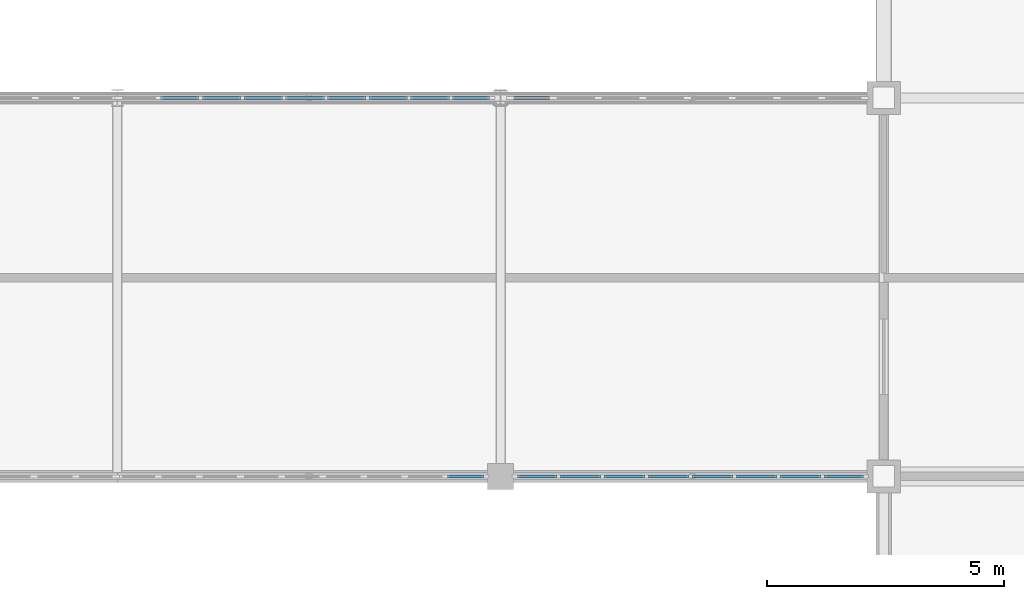
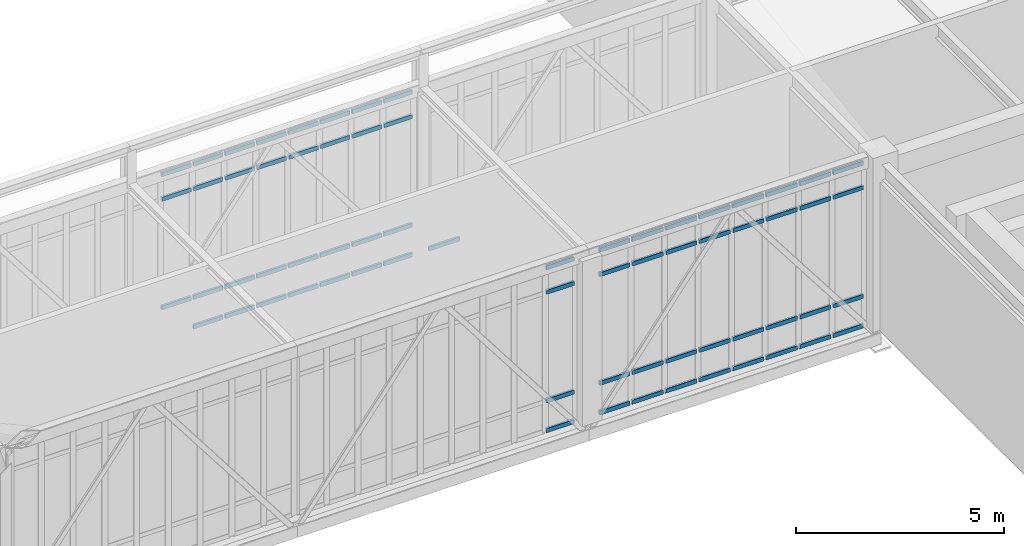
# One storey, part 60 of 107: 68 members, 4 elements without a shape of their own.
"""IFC4 building model written with IfcOpenShell, lengths in metres."""

from ifc_helpers import new_model, si_unit, direction, frame, origin, origin_2d, place, context, subcontext, project, spatial, rectangle, extrude, material, material_profile, profile_set, type_object, element, aggregate, save


model = new_model("IFC4")

# Units and contexts
model_context = context("Model", 3, precision=1e-05, world=origin(), true_north=direction((0.0, 1.0)))
body_context = subcontext(model_context, "Body", "Model", "MODEL_VIEW")
ifc_project = project(units=[si_unit("LENGTHUNIT", "METRE"), si_unit("AREAUNIT", "SQUARE_METRE"), si_unit("VOLUMEUNIT", "CUBIC_METRE"), si_unit("PLANEANGLEUNIT", "RADIAN"), si_unit("MASSUNIT", "GRAM", prefix="KILO")], contexts=[model_context])

# Site, building, storey
site_placement = place(None, origin())
site = spatial("IfcSite", under=ifc_project, at=site_placement, CompositionType="ELEMENT")
building_placement = place(site_placement, origin())
building = spatial("IfcBuilding", under=site, at=building_placement, Name="Tarnveldt Square Police Headquarters", CompositionType="ELEMENT")
storey_placement = place(building_placement, frame((0.0, 0.0, 14.699951171875)))
storey = spatial("IfcBuildingStorey", under=building, at=storey_placement, Name="L03", CompositionType="ELEMENT", Elevation=14.699951171875)

# Curtain wall, members
ifc_material_1 = material(Name="Triple-glazed low-e laminated vision glass", Category="glass")
curtain_wall_type_1 = type_object("IfcCurtainWallType", Name="CW-SB-781x484", PredefinedType="USERDEFINED", material=ifc_material_1)
curtain_wall_1_placement = place(storey_placement, origin())
curtain_wall_1 = element("IfcCurtainWall", 1, at=curtain_wall_1_placement, inside=storey, type_object=curtain_wall_type_1, Name="L03 Curtain Wall CW-L03-157", ObjectType="GLAZED CURTAIN WALL", PredefinedType="USERDEFINED")
ifc_material_2 = material(Name="Thermally broken anodised aluminium 6063-T6", Category="aluminium")
ifc_material_profile = material_profile(ifc_material_2, rectangle(XDim=0.06494140625, YDim=0.1201171875, at=origin_2d()), Name="CW-T65x120")
ifc_profile_set = profile_set([ifc_material_profile], Name="Thermally broken anodised aluminium 6063-T6")
member_type = type_object("IfcMemberType", Name="CWT-65x120", PredefinedType="USERDEFINED", material=ifc_profile_set)
member_1_placement = place(storey_placement, frame((96.07470703125, 72.0, 0.032470703125), z_axis=(1.0, 0.0, 0.0), x_axis=(0.0, 1.0, 0.0)))
member_1 = element("IfcMember", 2, at=member_1_placement, type_object=member_type, Name="CW-SB92 transom 9.1", ObjectType="TRANSOM", PredefinedType="USERDEFINED", context=body_context, shape_type="SweptSolid", body=[
    extrude(rectangle(XDim=0.06494140625, YDim=0.1201171875, at=origin_2d()), origin(), (0.0, 0.0, 1.0), 0.770263671875),
])
member_2_placement = place(storey_placement, frame((96.07470703125, 72.0, 0.900146484375), z_axis=(1.0, 0.0, 0.0), x_axis=(0.0, 1.0, 0.0)))
member_2 = element("IfcMember", 3, at=member_2_placement, type_object=member_type, Name="CW-SB92 transom 9.2", ObjectType="TRANSOM", PredefinedType="USERDEFINED", context=body_context, shape_type="SweptSolid", body=[
    extrude(rectangle(XDim=0.06494140625, YDim=0.1201171875, at=origin_2d()), origin(), (0.0, 0.0, 1.0), 0.770263671875),
])
member_3_placement = place(storey_placement, frame((96.07470703125, 72.0, 4.090087890625), z_axis=(1.0, 0.0, 0.0), x_axis=(0.0, 1.0, 0.0)))
member_3 = element("IfcMember", 4, at=member_3_placement, type_object=member_type, Name="CW-SB92 transom 9.3", ObjectType="TRANSOM", PredefinedType="USERDEFINED", context=body_context, shape_type="SweptSolid", body=[
    extrude(rectangle(XDim=0.06494140625, YDim=0.1201171875, at=origin_2d()), origin(), (0.0, 0.0, 1.0), 0.770263671875),
])
member_4_placement = place(storey_placement, frame((96.07470703125, 72.0, 4.8076171875), z_axis=(1.0, 0.0, 0.0), x_axis=(0.0, 1.0, 0.0)))
member_4 = element("IfcMember", 5, at=member_4_placement, type_object=member_type, Name="CW-SB92 transom 9.4", ObjectType="TRANSOM", PredefinedType="USERDEFINED", context=body_context, shape_type="SweptSolid", body=[
    extrude(rectangle(XDim=0.06494140625, YDim=0.1201171875, at=origin_2d()), origin(), (0.0, 0.0, 1.0), 0.770263671875),
])
aggregate(curtain_wall_1, [member_1, member_2, member_3, member_4])

curtain_wall_type_2 = type_object("IfcCurtainWallType", Name="CW-SB-745x484", PredefinedType="USERDEFINED", material=ifc_material_1)
curtain_wall_2_placement = place(storey_placement, origin())
curtain_wall_2 = element("IfcCurtainWall", 6, at=curtain_wall_2_placement, inside=storey, type_object=curtain_wall_type_2, Name="L03 Curtain Wall CW-L03-158", ObjectType="GLAZED CURTAIN WALL", PredefinedType="USERDEFINED")
member_5_placement = place(storey_placement, frame((97.554931640625, 72.0, 0.032470703125), z_axis=(1.0, 0.0, 0.0), x_axis=(0.0, 1.0, 0.0)))
member_5 = element("IfcMember", 7, at=member_5_placement, type_object=member_type, Name="CW-SB93 transom 1.1", ObjectType="TRANSOM", PredefinedType="USERDEFINED", context=body_context, shape_type="SweptSolid", body=[
    extrude(rectangle(XDim=0.06494140625, YDim=0.1201171875, at=origin_2d()), origin(), (0.0, 0.0, 1.0), 0.833251953125),
])
member_6_placement = place(storey_placement, frame((97.554931640625, 72.0, 0.900146484375), z_axis=(1.0, 0.0, 0.0), x_axis=(0.0, 1.0, 0.0)))
member_6 = element("IfcMember", 8, at=member_6_placement, type_object=member_type, Name="CW-SB93 transom 1.2", ObjectType="TRANSOM", PredefinedType="USERDEFINED", context=body_context, shape_type="SweptSolid", body=[
    extrude(rectangle(XDim=0.06494140625, YDim=0.1201171875, at=origin_2d()), origin(), (0.0, 0.0, 1.0), 0.833251953125),
])
member_7_placement = place(storey_placement, frame((97.554931640625, 72.0, 4.090087890625), z_axis=(1.0, 0.0, 0.0), x_axis=(0.0, 1.0, 0.0)))
member_7 = element("IfcMember", 9, at=member_7_placement, type_object=member_type, Name="CW-SB93 transom 1.3", ObjectType="TRANSOM", PredefinedType="USERDEFINED", context=body_context, shape_type="SweptSolid", body=[
    extrude(rectangle(XDim=0.06494140625, YDim=0.1201171875, at=origin_2d()), origin(), (0.0, 0.0, 1.0), 0.833251953125),
])
member_8_placement = place(storey_placement, frame((97.554931640625, 72.0, 4.8076171875), z_axis=(1.0, 0.0, 0.0), x_axis=(0.0, 1.0, 0.0)))
member_8 = element("IfcMember", 10, at=member_8_placement, type_object=member_type, Name="CW-SB93 transom 1.4", ObjectType="TRANSOM", PredefinedType="USERDEFINED", context=body_context, shape_type="SweptSolid", body=[
    extrude(rectangle(XDim=0.06494140625, YDim=0.1201171875, at=origin_2d()), origin(), (0.0, 0.0, 1.0), 0.833251953125),
])
member_9_placement = place(storey_placement, frame((98.453125, 72.0, 0.032470703125), z_axis=(1.0, 0.0, 0.0), x_axis=(0.0, 1.0, 0.0)))
member_9 = element("IfcMember", 11, at=member_9_placement, type_object=member_type, Name="CW-SB93 transom 2.1", ObjectType="TRANSOM", PredefinedType="USERDEFINED", context=body_context, shape_type="SweptSolid", body=[
    extrude(rectangle(XDim=0.06494140625, YDim=0.1201171875, at=origin_2d()), origin(), (0.0, 0.0, 1.0), 0.86572265625),
])
member_10_placement = place(storey_placement, frame((98.453125, 72.0, 0.900146484375), z_axis=(1.0, 0.0, 0.0), x_axis=(0.0, 1.0, 0.0)))
member_10 = element("IfcMember", 12, at=member_10_placement, type_object=member_type, Name="CW-SB93 transom 2.2", ObjectType="TRANSOM", PredefinedType="USERDEFINED", context=body_context, shape_type="SweptSolid", body=[
    extrude(rectangle(XDim=0.06494140625, YDim=0.1201171875, at=origin_2d()), origin(), (0.0, 0.0, 1.0), 0.86572265625),
])
member_11_placement = place(storey_placement, frame((98.453125, 72.0, 4.090087890625), z_axis=(1.0, 0.0, 0.0), x_axis=(0.0, 1.0, 0.0)))
member_11 = element("IfcMember", 13, at=member_11_placement, type_object=member_type, Name="CW-SB93 transom 2.3", ObjectType="TRANSOM", PredefinedType="USERDEFINED", context=body_context, shape_type="SweptSolid", body=[
    extrude(rectangle(XDim=0.06494140625, YDim=0.1201171875, at=origin_2d()), origin(), (0.0, 0.0, 1.0), 0.86572265625),
])
member_12_placement = place(storey_placement, frame((98.453125, 72.0, 4.8076171875), z_axis=(1.0, 0.0, 0.0), x_axis=(0.0, 1.0, 0.0)))
member_12 = element("IfcMember", 14, at=member_12_placement, type_object=member_type, Name="CW-SB93 transom 2.4", ObjectType="TRANSOM", PredefinedType="USERDEFINED", context=body_context, shape_type="SweptSolid", body=[
    extrude(rectangle(XDim=0.06494140625, YDim=0.1201171875, at=origin_2d()), origin(), (0.0, 0.0, 1.0), 0.86572265625),
])
member_13_placement = place(storey_placement, frame((99.3837890625, 72.0, 0.032470703125), z_axis=(1.0, 0.0, 0.0), x_axis=(0.0, 1.0, 0.0)))
member_13 = element("IfcMember", 15, at=member_13_placement, type_object=member_type, Name="CW-SB93 transom 3.1", ObjectType="TRANSOM", PredefinedType="USERDEFINED", context=body_context, shape_type="SweptSolid", body=[
    extrude(rectangle(XDim=0.06494140625, YDim=0.1201171875, at=origin_2d()), origin(), (0.0, 0.0, 1.0), 0.865478515625),
])
member_14_placement = place(storey_placement, frame((99.3837890625, 72.0, 0.900146484375), z_axis=(1.0, 0.0, 0.0), x_axis=(0.0, 1.0, 0.0)))
member_14 = element("IfcMember", 16, at=member_14_placement, type_object=member_type, Name="CW-SB93 transom 3.2", ObjectType="TRANSOM", PredefinedType="USERDEFINED", context=body_context, shape_type="SweptSolid", body=[
    extrude(rectangle(XDim=0.06494140625, YDim=0.1201171875, at=origin_2d()), origin(), (0.0, 0.0, 1.0), 0.865478515625),
])
member_15_placement = place(storey_placement, frame((99.3837890625, 72.0, 4.090087890625), z_axis=(1.0, 0.0, 0.0), x_axis=(0.0, 1.0, 0.0)))
member_15 = element("IfcMember", 17, at=member_15_placement, type_object=member_type, Name="CW-SB93 transom 3.3", ObjectType="TRANSOM", PredefinedType="USERDEFINED", context=body_context, shape_type="SweptSolid", body=[
    extrude(rectangle(XDim=0.06494140625, YDim=0.1201171875, at=origin_2d()), origin(), (0.0, 0.0, 1.0), 0.865478515625),
])
member_16_placement = place(storey_placement, frame((99.3837890625, 72.0, 4.8076171875), z_axis=(1.0, 0.0, 0.0), x_axis=(0.0, 1.0, 0.0)))
member_16 = element("IfcMember", 18, at=member_16_placement, type_object=member_type, Name="CW-SB93 transom 3.4", ObjectType="TRANSOM", PredefinedType="USERDEFINED", context=body_context, shape_type="SweptSolid", body=[
    extrude(rectangle(XDim=0.06494140625, YDim=0.1201171875, at=origin_2d()), origin(), (0.0, 0.0, 1.0), 0.865478515625),
])
member_17_placement = place(storey_placement, frame((100.314453125, 72.0, 0.032470703125), z_axis=(1.0, 0.0, 0.0), x_axis=(0.0, 1.0, 0.0)))
member_17 = element("IfcMember", 19, at=member_17_placement, type_object=member_type, Name="CW-SB93 transom 4.1", ObjectType="TRANSOM", PredefinedType="USERDEFINED", context=body_context, shape_type="SweptSolid", body=[
    extrude(rectangle(XDim=0.06494140625, YDim=0.1201171875, at=origin_2d()), origin(), (0.0, 0.0, 1.0), 0.865478515625),
])
member_18_placement = place(storey_placement, frame((100.314453125, 72.0, 0.900146484375), z_axis=(1.0, 0.0, 0.0), x_axis=(0.0, 1.0, 0.0)))
member_18 = element("IfcMember", 20, at=member_18_placement, type_object=member_type, Name="CW-SB93 transom 4.2", ObjectType="TRANSOM", PredefinedType="USERDEFINED", context=body_context, shape_type="SweptSolid", body=[
    extrude(rectangle(XDim=0.06494140625, YDim=0.1201171875, at=origin_2d()), origin(), (0.0, 0.0, 1.0), 0.865478515625),
])
member_19_placement = place(storey_placement, frame((100.314453125, 72.0, 4.090087890625), z_axis=(1.0, 0.0, 0.0), x_axis=(0.0, 1.0, 0.0)))
member_19 = element("IfcMember", 21, at=member_19_placement, type_object=member_type, Name="CW-SB93 transom 4.3", ObjectType="TRANSOM", PredefinedType="USERDEFINED", context=body_context, shape_type="SweptSolid", body=[
    extrude(rectangle(XDim=0.06494140625, YDim=0.1201171875, at=origin_2d()), origin(), (0.0, 0.0, 1.0), 0.865478515625),
])
member_20_placement = place(storey_placement, frame((100.314453125, 72.0, 4.8076171875), z_axis=(1.0, 0.0, 0.0), x_axis=(0.0, 1.0, 0.0)))
member_20 = element("IfcMember", 22, at=member_20_placement, type_object=member_type, Name="CW-SB93 transom 4.4", ObjectType="TRANSOM", PredefinedType="USERDEFINED", context=body_context, shape_type="SweptSolid", body=[
    extrude(rectangle(XDim=0.06494140625, YDim=0.1201171875, at=origin_2d()), origin(), (0.0, 0.0, 1.0), 0.865478515625),
])
member_21_placement = place(storey_placement, frame((101.2451171875, 72.0, 0.032470703125), z_axis=(1.0, 0.0, 0.0), x_axis=(0.0, 1.0, 0.0)))
member_21 = element("IfcMember", 23, at=member_21_placement, type_object=member_type, Name="CW-SB93 transom 5.1", ObjectType="TRANSOM", PredefinedType="USERDEFINED", context=body_context, shape_type="SweptSolid", body=[
    extrude(rectangle(XDim=0.06494140625, YDim=0.1201171875, at=origin_2d()), origin(), (0.0, 0.0, 1.0), 0.865478515625),
])
member_22_placement = place(storey_placement, frame((101.2451171875, 72.0, 0.900146484375), z_axis=(1.0, 0.0, 0.0), x_axis=(0.0, 1.0, 0.0)))
member_22 = element("IfcMember", 24, at=member_22_placement, type_object=member_type, Name="CW-SB93 transom 5.2", ObjectType="TRANSOM", PredefinedType="USERDEFINED", context=body_context, shape_type="SweptSolid", body=[
    extrude(rectangle(XDim=0.06494140625, YDim=0.1201171875, at=origin_2d()), origin(), (0.0, 0.0, 1.0), 0.865478515625),
])
member_23_placement = place(storey_placement, frame((101.2451171875, 72.0, 4.090087890625), z_axis=(1.0, 0.0, 0.0), x_axis=(0.0, 1.0, 0.0)))
member_23 = element("IfcMember", 25, at=member_23_placement, type_object=member_type, Name="CW-SB93 transom 5.3", ObjectType="TRANSOM", PredefinedType="USERDEFINED", context=body_context, shape_type="SweptSolid", body=[
    extrude(rectangle(XDim=0.06494140625, YDim=0.1201171875, at=origin_2d()), origin(), (0.0, 0.0, 1.0), 0.865478515625),
])
member_24_placement = place(storey_placement, frame((101.2451171875, 72.0, 4.8076171875), z_axis=(1.0, 0.0, 0.0), x_axis=(0.0, 1.0, 0.0)))
member_24 = element("IfcMember", 26, at=member_24_placement, type_object=member_type, Name="CW-SB93 transom 5.4", ObjectType="TRANSOM", PredefinedType="USERDEFINED", context=body_context, shape_type="SweptSolid", body=[
    extrude(rectangle(XDim=0.06494140625, YDim=0.1201171875, at=origin_2d()), origin(), (0.0, 0.0, 1.0), 0.865478515625),
])
member_25_placement = place(storey_placement, frame((102.175537109375, 72.0, 0.032470703125), z_axis=(1.0, 0.0, 0.0), x_axis=(0.0, 1.0, 0.0)))
member_25 = element("IfcMember", 27, at=member_25_placement, type_object=member_type, Name="CW-SB93 transom 6.1", ObjectType="TRANSOM", PredefinedType="USERDEFINED", context=body_context, shape_type="SweptSolid", body=[
    extrude(rectangle(XDim=0.06494140625, YDim=0.1201171875, at=origin_2d()), origin(), (0.0, 0.0, 1.0), 0.86572265625),
])
member_26_placement = place(storey_placement, frame((102.175537109375, 72.0, 0.900146484375), z_axis=(1.0, 0.0, 0.0), x_axis=(0.0, 1.0, 0.0)))
member_26 = element("IfcMember", 28, at=member_26_placement, type_object=member_type, Name="CW-SB93 transom 6.2", ObjectType="TRANSOM", PredefinedType="USERDEFINED", context=body_context, shape_type="SweptSolid", body=[
    extrude(rectangle(XDim=0.06494140625, YDim=0.1201171875, at=origin_2d()), origin(), (0.0, 0.0, 1.0), 0.86572265625),
])
member_27_placement = place(storey_placement, frame((102.175537109375, 72.0, 4.090087890625), z_axis=(1.0, 0.0, 0.0), x_axis=(0.0, 1.0, 0.0)))
member_27 = element("IfcMember", 29, at=member_27_placement, type_object=member_type, Name="CW-SB93 transom 6.3", ObjectType="TRANSOM", PredefinedType="USERDEFINED", context=body_context, shape_type="SweptSolid", body=[
    extrude(rectangle(XDim=0.06494140625, YDim=0.1201171875, at=origin_2d()), origin(), (0.0, 0.0, 1.0), 0.86572265625),
])
member_28_placement = place(storey_placement, frame((102.175537109375, 72.0, 4.8076171875), z_axis=(1.0, 0.0, 0.0), x_axis=(0.0, 1.0, 0.0)))
member_28 = element("IfcMember", 30, at=member_28_placement, type_object=member_type, Name="CW-SB93 transom 6.4", ObjectType="TRANSOM", PredefinedType="USERDEFINED", context=body_context, shape_type="SweptSolid", body=[
    extrude(rectangle(XDim=0.06494140625, YDim=0.1201171875, at=origin_2d()), origin(), (0.0, 0.0, 1.0), 0.86572265625),
])
member_29_placement = place(storey_placement, frame((103.106201171875, 72.0, 0.032470703125), z_axis=(1.0, 0.0, 0.0), x_axis=(0.0, 1.0, 0.0)))
member_29 = element("IfcMember", 31, at=member_29_placement, type_object=member_type, Name="CW-SB93 transom 7.1", ObjectType="TRANSOM", PredefinedType="USERDEFINED", context=body_context, shape_type="SweptSolid", body=[
    extrude(rectangle(XDim=0.06494140625, YDim=0.1201171875, at=origin_2d()), origin(), (0.0, 0.0, 1.0), 0.86572265625),
])
member_30_placement = place(storey_placement, frame((103.106201171875, 72.0, 0.900146484375), z_axis=(1.0, 0.0, 0.0), x_axis=(0.0, 1.0, 0.0)))
member_30 = element("IfcMember", 32, at=member_30_placement, type_object=member_type, Name="CW-SB93 transom 7.2", ObjectType="TRANSOM", PredefinedType="USERDEFINED", context=body_context, shape_type="SweptSolid", body=[
    extrude(rectangle(XDim=0.06494140625, YDim=0.1201171875, at=origin_2d()), origin(), (0.0, 0.0, 1.0), 0.86572265625),
])
member_31_placement = place(storey_placement, frame((103.106201171875, 72.0, 4.090087890625), z_axis=(1.0, 0.0, 0.0), x_axis=(0.0, 1.0, 0.0)))
member_31 = element("IfcMember", 33, at=member_31_placement, type_object=member_type, Name="CW-SB93 transom 7.3", ObjectType="TRANSOM", PredefinedType="USERDEFINED", context=body_context, shape_type="SweptSolid", body=[
    extrude(rectangle(XDim=0.06494140625, YDim=0.1201171875, at=origin_2d()), origin(), (0.0, 0.0, 1.0), 0.86572265625),
])
member_32_placement = place(storey_placement, frame((103.106201171875, 72.0, 4.8076171875), z_axis=(1.0, 0.0, 0.0), x_axis=(0.0, 1.0, 0.0)))
member_32 = element("IfcMember", 34, at=member_32_placement, type_object=member_type, Name="CW-SB93 transom 7.4", ObjectType="TRANSOM", PredefinedType="USERDEFINED", context=body_context, shape_type="SweptSolid", body=[
    extrude(rectangle(XDim=0.06494140625, YDim=0.1201171875, at=origin_2d()), origin(), (0.0, 0.0, 1.0), 0.86572265625),
])
member_33_placement = place(storey_placement, frame((104.036865234375, 72.0, 0.032470703125), z_axis=(1.0, 0.0, 0.0), x_axis=(0.0, 1.0, 0.0)))
member_33 = element("IfcMember", 35, at=member_33_placement, type_object=member_type, Name="CW-SB93 transom 8.1", ObjectType="TRANSOM", PredefinedType="USERDEFINED", context=body_context, shape_type="SweptSolid", body=[
    extrude(rectangle(XDim=0.06494140625, YDim=0.1201171875, at=origin_2d()), origin(), (0.0, 0.0, 1.0), 0.833251953125),
])
member_34_placement = place(storey_placement, frame((104.036865234375, 72.0, 0.900146484375), z_axis=(1.0, 0.0, 0.0), x_axis=(0.0, 1.0, 0.0)))
member_34 = element("IfcMember", 36, at=member_34_placement, type_object=member_type, Name="CW-SB93 transom 8.2", ObjectType="TRANSOM", PredefinedType="USERDEFINED", context=body_context, shape_type="SweptSolid", body=[
    extrude(rectangle(XDim=0.06494140625, YDim=0.1201171875, at=origin_2d()), origin(), (0.0, 0.0, 1.0), 0.833251953125),
])
member_35_placement = place(storey_placement, frame((104.036865234375, 72.0, 4.090087890625), z_axis=(1.0, 0.0, 0.0), x_axis=(0.0, 1.0, 0.0)))
member_35 = element("IfcMember", 37, at=member_35_placement, type_object=member_type, Name="CW-SB93 transom 8.3", ObjectType="TRANSOM", PredefinedType="USERDEFINED", context=body_context, shape_type="SweptSolid", body=[
    extrude(rectangle(XDim=0.06494140625, YDim=0.1201171875, at=origin_2d()), origin(), (0.0, 0.0, 1.0), 0.833251953125),
])
member_36_placement = place(storey_placement, frame((104.036865234375, 72.0, 4.8076171875), z_axis=(1.0, 0.0, 0.0), x_axis=(0.0, 1.0, 0.0)))
member_36 = element("IfcMember", 38, at=member_36_placement, type_object=member_type, Name="CW-SB93 transom 8.4", ObjectType="TRANSOM", PredefinedType="USERDEFINED", context=body_context, shape_type="SweptSolid", body=[
    extrude(rectangle(XDim=0.06494140625, YDim=0.1201171875, at=origin_2d()), origin(), (0.0, 0.0, 1.0), 0.833251953125),
])
aggregate(curtain_wall_2, [member_5, member_6, member_7, member_8, member_9, member_10, member_11, member_12, member_13, member_14, member_15, member_16, member_17, member_18, member_19, member_20, member_21, member_22, member_23, member_24, member_25, member_26, member_27, member_28, member_29, member_30, member_31, member_32, member_33, member_34, member_35, member_36])

curtain_wall_type_3 = type_object("IfcCurtainWallType", Name="CW-SB-793x484", PredefinedType="USERDEFINED", material=ifc_material_1)
curtain_wall_3_placement = place(storey_placement, origin())
curtain_wall_3 = element("IfcCurtainWall", 39, at=curtain_wall_3_placement, inside=storey, type_object=curtain_wall_type_3, Name="L03 Curtain Wall CW-L03-164", ObjectType="GLAZED CURTAIN WALL", PredefinedType="USERDEFINED")
member_37_placement = place(storey_placement, frame((90.013671875, 80.0, 0.900146484375), z_axis=(1.0, 0.0, 0.0), x_axis=(0.0, 1.0, 0.0)))
member_37 = element("IfcMember", 40, at=member_37_placement, type_object=member_type, Name="CW-SB91 transom 2.2", ObjectType="TRANSOM", PredefinedType="USERDEFINED", context=body_context, shape_type="SweptSolid", body=[
    extrude(rectangle(XDim=0.06494140625, YDim=0.1201171875, at=origin_2d()), origin(), (0.0, 0.0, 1.0), 0.816162109375),
])
member_38_placement = place(storey_placement, frame((90.013671875, 80.0, 4.090087890625), z_axis=(1.0, 0.0, 0.0), x_axis=(0.0, 1.0, 0.0)))
member_38 = element("IfcMember", 41, at=member_38_placement, type_object=member_type, Name="CW-SB91 transom 2.3", ObjectType="TRANSOM", PredefinedType="USERDEFINED", context=body_context, shape_type="SweptSolid", body=[
    extrude(rectangle(XDim=0.06494140625, YDim=0.1201171875, at=origin_2d()), origin(), (0.0, 0.0, 1.0), 0.816162109375),
])
member_39_placement = place(storey_placement, frame((90.013671875, 80.0, 4.8076171875), z_axis=(1.0, 0.0, 0.0), x_axis=(0.0, 1.0, 0.0)))
member_39 = element("IfcMember", 42, at=member_39_placement, type_object=member_type, Name="CW-SB91 transom 2.4", ObjectType="TRANSOM", PredefinedType="USERDEFINED", context=body_context, shape_type="SweptSolid", body=[
    extrude(rectangle(XDim=0.06494140625, YDim=0.1201171875, at=origin_2d()), origin(), (0.0, 0.0, 1.0), 0.816162109375),
])
member_40_placement = place(storey_placement, frame((90.89501953125, 80.0, 0.032470703125), z_axis=(1.0, 0.0, 0.0), x_axis=(0.0, 1.0, 0.0)))
member_40 = element("IfcMember", 43, at=member_40_placement, type_object=member_type, Name="CW-SB91 transom 3.1", ObjectType="TRANSOM", PredefinedType="USERDEFINED", context=body_context, shape_type="SweptSolid", body=[
    extrude(rectangle(XDim=0.06494140625, YDim=0.1201171875, at=origin_2d()), origin(), (0.0, 0.0, 1.0), 0.816162109375),
])
member_41_placement = place(storey_placement, frame((90.89501953125, 80.0, 0.900146484375), z_axis=(1.0, 0.0, 0.0), x_axis=(0.0, 1.0, 0.0)))
member_41 = element("IfcMember", 44, at=member_41_placement, type_object=member_type, Name="CW-SB91 transom 3.2", ObjectType="TRANSOM", PredefinedType="USERDEFINED", context=body_context, shape_type="SweptSolid", body=[
    extrude(rectangle(XDim=0.06494140625, YDim=0.1201171875, at=origin_2d()), origin(), (0.0, 0.0, 1.0), 0.816162109375),
])
member_42_placement = place(storey_placement, frame((90.89501953125, 80.0, 4.090087890625), z_axis=(1.0, 0.0, 0.0), x_axis=(0.0, 1.0, 0.0)))
member_42 = element("IfcMember", 45, at=member_42_placement, type_object=member_type, Name="CW-SB91 transom 3.3", ObjectType="TRANSOM", PredefinedType="USERDEFINED", context=body_context, shape_type="SweptSolid", body=[
    extrude(rectangle(XDim=0.06494140625, YDim=0.1201171875, at=origin_2d()), origin(), (0.0, 0.0, 1.0), 0.816162109375),
])
member_43_placement = place(storey_placement, frame((90.89501953125, 80.0, 4.8076171875), z_axis=(1.0, 0.0, 0.0), x_axis=(0.0, 1.0, 0.0)))
member_43 = element("IfcMember", 46, at=member_43_placement, type_object=member_type, Name="CW-SB91 transom 3.4", ObjectType="TRANSOM", PredefinedType="USERDEFINED", context=body_context, shape_type="SweptSolid", body=[
    extrude(rectangle(XDim=0.06494140625, YDim=0.1201171875, at=origin_2d()), origin(), (0.0, 0.0, 1.0), 0.816162109375),
])
member_44_placement = place(storey_placement, frame((91.776123046875, 80.0, 0.032470703125), z_axis=(1.0, 0.0, 0.0), x_axis=(0.0, 1.0, 0.0)))
member_44 = element("IfcMember", 47, at=member_44_placement, type_object=member_type, Name="CW-SB91 transom 4.1", ObjectType="TRANSOM", PredefinedType="USERDEFINED", context=body_context, shape_type="SweptSolid", body=[
    extrude(rectangle(XDim=0.06494140625, YDim=0.1201171875, at=origin_2d()), origin(), (0.0, 0.0, 1.0), 0.816162109375),
])
member_45_placement = place(storey_placement, frame((91.776123046875, 80.0, 0.900146484375), z_axis=(1.0, 0.0, 0.0), x_axis=(0.0, 1.0, 0.0)))
member_45 = element("IfcMember", 48, at=member_45_placement, type_object=member_type, Name="CW-SB91 transom 4.2", ObjectType="TRANSOM", PredefinedType="USERDEFINED", context=body_context, shape_type="SweptSolid", body=[
    extrude(rectangle(XDim=0.06494140625, YDim=0.1201171875, at=origin_2d()), origin(), (0.0, 0.0, 1.0), 0.816162109375),
])
member_46_placement = place(storey_placement, frame((91.776123046875, 80.0, 4.090087890625), z_axis=(1.0, 0.0, 0.0), x_axis=(0.0, 1.0, 0.0)))
member_46 = element("IfcMember", 49, at=member_46_placement, type_object=member_type, Name="CW-SB91 transom 4.3", ObjectType="TRANSOM", PredefinedType="USERDEFINED", context=body_context, shape_type="SweptSolid", body=[
    extrude(rectangle(XDim=0.06494140625, YDim=0.1201171875, at=origin_2d()), origin(), (0.0, 0.0, 1.0), 0.816162109375),
])
member_47_placement = place(storey_placement, frame((91.776123046875, 80.0, 4.8076171875), z_axis=(1.0, 0.0, 0.0), x_axis=(0.0, 1.0, 0.0)))
member_47 = element("IfcMember", 50, at=member_47_placement, type_object=member_type, Name="CW-SB91 transom 4.4", ObjectType="TRANSOM", PredefinedType="USERDEFINED", context=body_context, shape_type="SweptSolid", body=[
    extrude(rectangle(XDim=0.06494140625, YDim=0.1201171875, at=origin_2d()), origin(), (0.0, 0.0, 1.0), 0.816162109375),
])
member_48_placement = place(storey_placement, frame((92.657470703125, 80.0, 0.032470703125), z_axis=(1.0, 0.0, 0.0), x_axis=(0.0, 1.0, 0.0)))
member_48 = element("IfcMember", 51, at=member_48_placement, type_object=member_type, Name="CW-SB91 transom 5.1", ObjectType="TRANSOM", PredefinedType="USERDEFINED", context=body_context, shape_type="SweptSolid", body=[
    extrude(rectangle(XDim=0.06494140625, YDim=0.1201171875, at=origin_2d()), origin(), (0.0, 0.0, 1.0), 0.816162109375),
])
member_49_placement = place(storey_placement, frame((92.657470703125, 80.0, 0.900146484375), z_axis=(1.0, 0.0, 0.0), x_axis=(0.0, 1.0, 0.0)))
member_49 = element("IfcMember", 52, at=member_49_placement, type_object=member_type, Name="CW-SB91 transom 5.2", ObjectType="TRANSOM", PredefinedType="USERDEFINED", context=body_context, shape_type="SweptSolid", body=[
    extrude(rectangle(XDim=0.06494140625, YDim=0.1201171875, at=origin_2d()), origin(), (0.0, 0.0, 1.0), 0.816162109375),
])
member_50_placement = place(storey_placement, frame((92.657470703125, 80.0, 4.090087890625), z_axis=(1.0, 0.0, 0.0), x_axis=(0.0, 1.0, 0.0)))
member_50 = element("IfcMember", 53, at=member_50_placement, type_object=member_type, Name="CW-SB91 transom 5.3", ObjectType="TRANSOM", PredefinedType="USERDEFINED", context=body_context, shape_type="SweptSolid", body=[
    extrude(rectangle(XDim=0.06494140625, YDim=0.1201171875, at=origin_2d()), origin(), (0.0, 0.0, 1.0), 0.816162109375),
])
member_51_placement = place(storey_placement, frame((92.657470703125, 80.0, 4.8076171875), z_axis=(1.0, 0.0, 0.0), x_axis=(0.0, 1.0, 0.0)))
member_51 = element("IfcMember", 54, at=member_51_placement, type_object=member_type, Name="CW-SB91 transom 5.4", ObjectType="TRANSOM", PredefinedType="USERDEFINED", context=body_context, shape_type="SweptSolid", body=[
    extrude(rectangle(XDim=0.06494140625, YDim=0.1201171875, at=origin_2d()), origin(), (0.0, 0.0, 1.0), 0.816162109375),
])
member_52_placement = place(storey_placement, frame((93.53857421875, 80.0, 0.032470703125), z_axis=(1.0, 0.0, 0.0), x_axis=(0.0, 1.0, 0.0)))
member_52 = element("IfcMember", 55, at=member_52_placement, type_object=member_type, Name="CW-SB91 transom 6.1", ObjectType="TRANSOM", PredefinedType="USERDEFINED", context=body_context, shape_type="SweptSolid", body=[
    extrude(rectangle(XDim=0.06494140625, YDim=0.1201171875, at=origin_2d()), origin(), (0.0, 0.0, 1.0), 0.816162109375),
])
member_53_placement = place(storey_placement, frame((93.53857421875, 80.0, 0.900146484375), z_axis=(1.0, 0.0, 0.0), x_axis=(0.0, 1.0, 0.0)))
member_53 = element("IfcMember", 56, at=member_53_placement, type_object=member_type, Name="CW-SB91 transom 6.2", ObjectType="TRANSOM", PredefinedType="USERDEFINED", context=body_context, shape_type="SweptSolid", body=[
    extrude(rectangle(XDim=0.06494140625, YDim=0.1201171875, at=origin_2d()), origin(), (0.0, 0.0, 1.0), 0.816162109375),
])
member_54_placement = place(storey_placement, frame((93.53857421875, 80.0, 4.090087890625), z_axis=(1.0, 0.0, 0.0), x_axis=(0.0, 1.0, 0.0)))
member_54 = element("IfcMember", 57, at=member_54_placement, type_object=member_type, Name="CW-SB91 transom 6.3", ObjectType="TRANSOM", PredefinedType="USERDEFINED", context=body_context, shape_type="SweptSolid", body=[
    extrude(rectangle(XDim=0.06494140625, YDim=0.1201171875, at=origin_2d()), origin(), (0.0, 0.0, 1.0), 0.816162109375),
])
member_55_placement = place(storey_placement, frame((93.53857421875, 80.0, 4.8076171875), z_axis=(1.0, 0.0, 0.0), x_axis=(0.0, 1.0, 0.0)))
member_55 = element("IfcMember", 58, at=member_55_placement, type_object=member_type, Name="CW-SB91 transom 6.4", ObjectType="TRANSOM", PredefinedType="USERDEFINED", context=body_context, shape_type="SweptSolid", body=[
    extrude(rectangle(XDim=0.06494140625, YDim=0.1201171875, at=origin_2d()), origin(), (0.0, 0.0, 1.0), 0.816162109375),
])
member_56_placement = place(storey_placement, frame((94.419921875, 80.0, 0.032470703125), z_axis=(1.0, 0.0, 0.0), x_axis=(0.0, 1.0, 0.0)))
member_56 = element("IfcMember", 59, at=member_56_placement, type_object=member_type, Name="CW-SB91 transom 7.1", ObjectType="TRANSOM", PredefinedType="USERDEFINED", context=body_context, shape_type="SweptSolid", body=[
    extrude(rectangle(XDim=0.06494140625, YDim=0.1201171875, at=origin_2d()), origin(), (0.0, 0.0, 1.0), 0.816162109375),
])
member_57_placement = place(storey_placement, frame((94.419921875, 80.0, 0.900146484375), z_axis=(1.0, 0.0, 0.0), x_axis=(0.0, 1.0, 0.0)))
member_57 = element("IfcMember", 60, at=member_57_placement, type_object=member_type, Name="CW-SB91 transom 7.2", ObjectType="TRANSOM", PredefinedType="USERDEFINED", context=body_context, shape_type="SweptSolid", body=[
    extrude(rectangle(XDim=0.06494140625, YDim=0.1201171875, at=origin_2d()), origin(), (0.0, 0.0, 1.0), 0.816162109375),
])
member_58_placement = place(storey_placement, frame((94.419921875, 80.0, 4.090087890625), z_axis=(1.0, 0.0, 0.0), x_axis=(0.0, 1.0, 0.0)))
member_58 = element("IfcMember", 61, at=member_58_placement, type_object=member_type, Name="CW-SB91 transom 7.3", ObjectType="TRANSOM", PredefinedType="USERDEFINED", context=body_context, shape_type="SweptSolid", body=[
    extrude(rectangle(XDim=0.06494140625, YDim=0.1201171875, at=origin_2d()), origin(), (0.0, 0.0, 1.0), 0.816162109375),
])
member_59_placement = place(storey_placement, frame((94.419921875, 80.0, 4.8076171875), z_axis=(1.0, 0.0, 0.0), x_axis=(0.0, 1.0, 0.0)))
member_59 = element("IfcMember", 62, at=member_59_placement, type_object=member_type, Name="CW-SB91 transom 7.4", ObjectType="TRANSOM", PredefinedType="USERDEFINED", context=body_context, shape_type="SweptSolid", body=[
    extrude(rectangle(XDim=0.06494140625, YDim=0.1201171875, at=origin_2d()), origin(), (0.0, 0.0, 1.0), 0.816162109375),
])
member_60_placement = place(storey_placement, frame((95.301025390625, 80.0, 0.032470703125), z_axis=(1.0, 0.0, 0.0), x_axis=(0.0, 1.0, 0.0)))
member_60 = element("IfcMember", 63, at=member_60_placement, type_object=member_type, Name="CW-SB91 transom 8.1", ObjectType="TRANSOM", PredefinedType="USERDEFINED", context=body_context, shape_type="SweptSolid", body=[
    extrude(rectangle(XDim=0.06494140625, YDim=0.1201171875, at=origin_2d()), origin(), (0.0, 0.0, 1.0), 0.816162109375),
])
member_61_placement = place(storey_placement, frame((95.301025390625, 80.0, 0.900146484375), z_axis=(1.0, 0.0, 0.0), x_axis=(0.0, 1.0, 0.0)))
member_61 = element("IfcMember", 64, at=member_61_placement, type_object=member_type, Name="CW-SB91 transom 8.2", ObjectType="TRANSOM", PredefinedType="USERDEFINED", context=body_context, shape_type="SweptSolid", body=[
    extrude(rectangle(XDim=0.06494140625, YDim=0.1201171875, at=origin_2d()), origin(), (0.0, 0.0, 1.0), 0.816162109375),
])
member_62_placement = place(storey_placement, frame((95.301025390625, 80.0, 4.090087890625), z_axis=(1.0, 0.0, 0.0), x_axis=(0.0, 1.0, 0.0)))
member_62 = element("IfcMember", 65, at=member_62_placement, type_object=member_type, Name="CW-SB91 transom 8.3", ObjectType="TRANSOM", PredefinedType="USERDEFINED", context=body_context, shape_type="SweptSolid", body=[
    extrude(rectangle(XDim=0.06494140625, YDim=0.1201171875, at=origin_2d()), origin(), (0.0, 0.0, 1.0), 0.816162109375),
])
member_63_placement = place(storey_placement, frame((95.301025390625, 80.0, 4.8076171875), z_axis=(1.0, 0.0, 0.0), x_axis=(0.0, 1.0, 0.0)))
member_63 = element("IfcMember", 66, at=member_63_placement, type_object=member_type, Name="CW-SB91 transom 8.4", ObjectType="TRANSOM", PredefinedType="USERDEFINED", context=body_context, shape_type="SweptSolid", body=[
    extrude(rectangle(XDim=0.06494140625, YDim=0.1201171875, at=origin_2d()), origin(), (0.0, 0.0, 1.0), 0.816162109375),
])
member_64_placement = place(storey_placement, frame((96.182373046875, 80.0, 0.032470703125), z_axis=(1.0, 0.0, 0.0), x_axis=(0.0, 1.0, 0.0)))
member_64 = element("IfcMember", 67, at=member_64_placement, type_object=member_type, Name="CW-SB91 transom 9.1", ObjectType="TRANSOM", PredefinedType="USERDEFINED", context=body_context, shape_type="SweptSolid", body=[
    extrude(rectangle(XDim=0.06494140625, YDim=0.1201171875, at=origin_2d()), origin(), (0.0, 0.0, 1.0), 0.78369140625),
])
member_65_placement = place(storey_placement, frame((96.182373046875, 80.0, 0.900146484375), z_axis=(1.0, 0.0, 0.0), x_axis=(0.0, 1.0, 0.0)))
member_65 = element("IfcMember", 68, at=member_65_placement, type_object=member_type, Name="CW-SB91 transom 9.2", ObjectType="TRANSOM", PredefinedType="USERDEFINED", context=body_context, shape_type="SweptSolid", body=[
    extrude(rectangle(XDim=0.06494140625, YDim=0.1201171875, at=origin_2d()), origin(), (0.0, 0.0, 1.0), 0.78369140625),
])
member_66_placement = place(storey_placement, frame((96.182373046875, 80.0, 4.090087890625), z_axis=(1.0, 0.0, 0.0), x_axis=(0.0, 1.0, 0.0)))
member_66 = element("IfcMember", 69, at=member_66_placement, type_object=member_type, Name="CW-SB91 transom 9.3", ObjectType="TRANSOM", PredefinedType="USERDEFINED", context=body_context, shape_type="SweptSolid", body=[
    extrude(rectangle(XDim=0.06494140625, YDim=0.1201171875, at=origin_2d()), origin(), (0.0, 0.0, 1.0), 0.78369140625),
])
member_67_placement = place(storey_placement, frame((96.182373046875, 80.0, 4.8076171875), z_axis=(1.0, 0.0, 0.0), x_axis=(0.0, 1.0, 0.0)))
member_67 = element("IfcMember", 70, at=member_67_placement, type_object=member_type, Name="CW-SB91 transom 9.4", ObjectType="TRANSOM", PredefinedType="USERDEFINED", context=body_context, shape_type="SweptSolid", body=[
    extrude(rectangle(XDim=0.06494140625, YDim=0.1201171875, at=origin_2d()), origin(), (0.0, 0.0, 1.0), 0.78369140625),
])
aggregate(curtain_wall_3, [member_37, member_38, member_39, member_40, member_41, member_42, member_43, member_44, member_45, member_46, member_47, member_48, member_49, member_50, member_51, member_52, member_53, member_54, member_55, member_56, member_57, member_58, member_59, member_60, member_61, member_62, member_63, member_64, member_65, member_66, member_67])

# Curtain wall, member
curtain_wall_type_4 = type_object("IfcCurtainWallType", Name="CW-SB-757x484", PredefinedType="USERDEFINED", material=ifc_material_1)
curtain_wall_4_placement = place(storey_placement, origin())
curtain_wall_4 = element("IfcCurtainWall", 71, at=curtain_wall_4_placement, inside=storey, type_object=curtain_wall_type_4, Name="L03 Curtain Wall CW-L03-165", ObjectType="GLAZED CURTAIN WALL", PredefinedType="USERDEFINED")
member_68_placement = place(storey_placement, frame((97.43408203125, 80.0, 0.032470703125), z_axis=(1.0, 0.0, 0.0), x_axis=(0.0, 1.0, 0.0)))
member_68 = element("IfcMember", 72, at=member_68_placement, type_object=member_type, Name="CW-SB89 transom 1.1", ObjectType="TRANSOM", PredefinedType="USERDEFINED", context=body_context, shape_type="SweptSolid", body=[
    extrude(rectangle(XDim=0.06494140625, YDim=0.1201171875, at=origin_2d()), origin(), (0.0, 0.0, 1.0), 0.84814453125),
])
aggregate(curtain_wall_4, [member_68])

save(model, "model.ifc")
